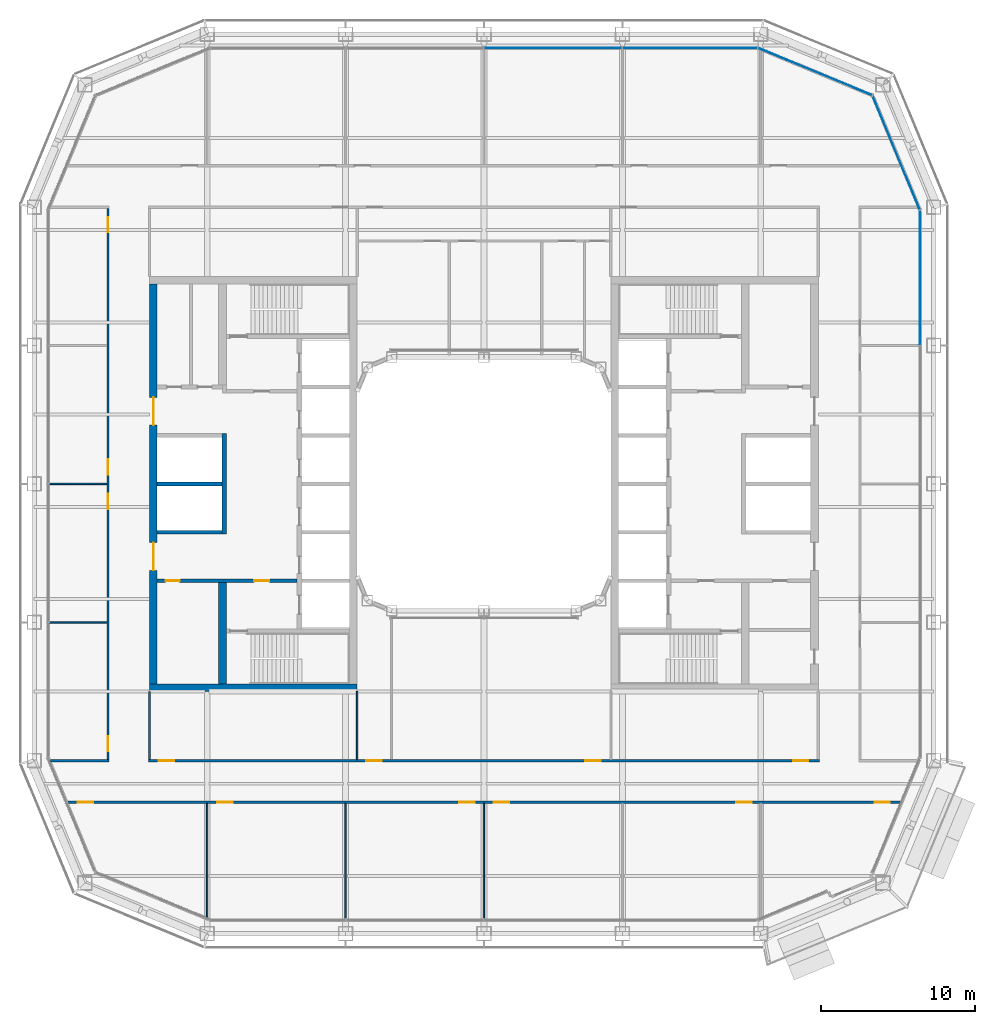
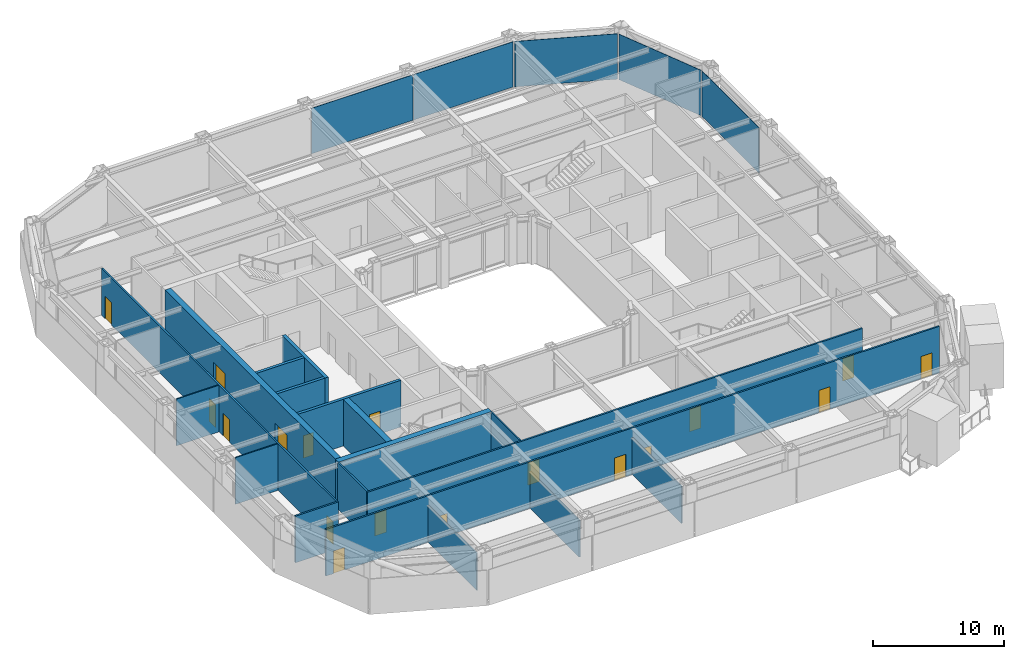
# One storey, part 11 of 23: 18 doors, 18 walls, 5 plates, 18 openings, 4 elements without a shape of their own.
"""IFC4 building model written with IfcOpenShell, lengths in metres."""

import ifcopenshell
import ifcopenshell.guid

model = None  # the IFC model being written
_history = None  # IfcOwnerHistory: only IFC2X3 demands one
_inside = {}  # id of a spatial element -> (the spatial element, [elements in it])
_under = {}  # id of a project, library or spatial element -> (it, [spatial elements below it])
_declared = {}  # id of a project -> (the project, [libraries it declares])
_typed = {}  # id of a type object -> (the type object, [elements of that type])
_made_of = {}  # id of a material, layer set ... -> (it, [elements and type objects made of it])


def new_model(schema):
    """Start an empty IFC model of exactly this schema.

    Asked for "IFC4X3", IfcOpenShell would pick the latest addendum, in which some entities
    have other attributes; the version numbers below select the first issue.
    IFC2X3 requires an IfcOwnerHistory on every rooted entity: one is made here for all.
    """
    global model, _history
    if schema == "IFC4X3":
        model = ifcopenshell.file(schema_version=(4, 3, 0, 0))
    else:
        model = ifcopenshell.file(schema=schema)
    _inside.clear()
    _under.clear()
    _declared.clear()
    _typed.clear()
    _made_of.clear()
    _history = None
    if model.schema == "IFC2X3":
        org = make("IfcOrganization", Name="unknown")
        user = make(
            "IfcPersonAndOrganization",
            ThePerson=make("IfcPerson", FamilyName="unknown"),
            TheOrganization=org,
        )
        app = make(
            "IfcApplication",
            ApplicationDeveloper=org,
            Version="unknown",
            ApplicationFullName="unknown",
            ApplicationIdentifier="unknown",
        )
        _history = make(
            "IfcOwnerHistory",
            OwningUser=user,
            OwningApplication=app,
            ChangeAction="ADDED",
            CreationDate=0,
        )
    return model


def make(cls, **values):
    """One entity of the class cls with the attributes given. An attribute that is None is left unset."""
    return model.create_entity(
        cls, **{name: value for name, value in values.items() if value is not None}
    )


def rooted(cls, **values):
    """An entity with a GlobalId (a new one), such as an element, a storey or a relation."""
    return make(cls, GlobalId=ifcopenshell.guid.new(), OwnerHistory=_history, **values)


def si_unit(unit_type, name, prefix=None):
    """IfcSIUnit, for example si_unit("LENGTHUNIT", "METRE", prefix="MILLI")."""
    return make("IfcSIUnit", UnitType=unit_type, Prefix=prefix, Name=name)


def assignment(units):
    """IfcUnitAssignment: the units of a project."""
    return None if units is None else make("IfcUnitAssignment", Units=units)


def point(xyz):
    """IfcCartesianPoint."""
    return None if xyz is None else make("IfcCartesianPoint", Coordinates=xyz)


def direction(xyz):
    """IfcDirection."""
    return None if xyz is None else make("IfcDirection", DirectionRatios=xyz)


def frame(location, z_axis=None, x_axis=None):
    """IfcAxis2Placement3D, a coordinate frame: its origin and axes. An axis left out is left unset."""
    return make(
        "IfcAxis2Placement3D",
        Location=point(location),
        Axis=direction(z_axis),
        RefDirection=direction(x_axis),
    )


def frame_2d(location, x_axis=None):
    """IfcAxis2Placement2D, a coordinate frame in the plane: its origin and x axis."""
    return make(
        "IfcAxis2Placement2D", Location=point(location), RefDirection=direction(x_axis)
    )


def origin():
    """The frame at (0, 0, 0) with its axes left unset."""
    return frame((0.0, 0.0, 0.0))


def origin_2d():
    """The frame at (0, 0) in the plane with its x axis left unset."""
    return frame_2d((0.0, 0.0))


def place(relative_to, where):
    """IfcLocalPlacement: puts the frame where relative to a parent placement (None: the world)."""
    return make(
        "IfcLocalPlacement", PlacementRelTo=relative_to, RelativePlacement=where
    )


def context(
    kind, dimensions, precision=None, world=None, true_north=None, identifier=None
):
    """IfcGeometricRepresentationContext, for example the 3D "Model" context."""
    return make(
        "IfcGeometricRepresentationContext",
        ContextIdentifier=identifier,
        ContextType=kind,
        CoordinateSpaceDimension=dimensions,
        Precision=precision,
        WorldCoordinateSystem=world,
        TrueNorth=true_north,
    )


def subcontext(parent, identifier, kind, view, scale=None):
    """IfcGeometricRepresentationSubContext, for example "Body" below "Model"."""
    return make(
        "IfcGeometricRepresentationSubContext",
        ContextIdentifier=identifier,
        ContextType=kind,
        ParentContext=parent,
        TargetScale=scale,
        TargetView=view,
    )


def project(units=None, contexts=None):
    """IfcProject with its units and contexts."""
    return rooted(
        "IfcProject",
        Name="project",
        RepresentationContexts=contexts,
        UnitsInContext=assignment(units),
    )


def spatial(cls, under=None, at=None, **own):
    """A site, building, storey or space (cls), placed at a placement, below another one or the project."""
    s = rooted(cls, ObjectPlacement=at, **own)
    if under is not None:
        _under.setdefault(under.id(), (under, []))[1].append(s)
    return s


def profile(cls, at=None, kind="AREA", **sizes):
    """A parametric profile (cls). Its sizes go by their IFC names, for example OverallWidth=200.0."""
    return make(cls, ProfileType=kind, Position=at, **sizes)


def rectangle(**sizes):
    """IfcRectangleProfileDef."""
    return profile("IfcRectangleProfileDef", **sizes)


def extrude(swept, where, along, depth):
    """IfcExtrudedAreaSolid: the profile swept, set in the frame where, extruded along a direction by depth."""
    return make(
        "IfcExtrudedAreaSolid",
        SweptArea=swept,
        Position=where,
        ExtrudedDirection=direction(along),
        Depth=depth,
    )


def shape(context_of_items, identifier, shape_type, items):
    """IfcShapeRepresentation: the items that make up one representation, for example the "Body"."""
    return make(
        "IfcShapeRepresentation",
        ContextOfItems=context_of_items,
        RepresentationIdentifier=identifier,
        RepresentationType=shape_type,
        Items=items,
    )


def material(Name=None, Category=None):
    """IfcMaterial."""
    return make("IfcMaterial", Name=Name, Category=Category)


def layer(
    of_material, thickness, ventilated=None, Name=None, Category=None, Priority=None
):
    """IfcMaterialLayer: one layer of a wall or slab, of a material (None: an air gap)."""
    return make(
        "IfcMaterialLayer",
        Material=of_material,
        LayerThickness=thickness,
        IsVentilated=ventilated,
        Name=Name,
        Category=Category,
        Priority=Priority,
    )


def layer_set(layers, Name=None):
    """IfcMaterialLayerSet."""
    return make("IfcMaterialLayerSet", MaterialLayers=layers, LayerSetName=Name)


def made_of(thing, what):
    """Note that an element or type object is made of a material, layer set ...; save() writes the relation."""
    if what is not None:
        _made_of.setdefault(what.id(), (what, []))[1].append(thing)
    return thing


def type_object(cls, material=None, **own):
    """A type object (cls), such as IfcWallType, which elements share."""
    return made_of(rooted(cls, **own), material)


def element(
    cls,
    number,
    at=None,
    inside=None,
    cuts=None,
    type_object=None,
    material=None,
    context=None,
    identifier="Body",
    shape_type=None,
    held_by="IfcProductDefinitionShape",
    body=None,
    shapes=None,
    **own,
):
    """One element of the class cls, such as IfcWall. Its Tag is "e" and its number.

    at: its placement. inside: the storey or other place that contains it. cuts: it is an
    opening in that element (IfcRelVoidsElement). A single representation is given by context,
    identifier, shape_type and body (its items); several are given by shapes. held_by: the class
    of the entity that holds the representations. save() writes the other relations.
    """
    e = rooted(cls, Tag="e%d" % number, ObjectPlacement=at, **own)
    if body is not None:
        shapes = [shape(context, identifier, shape_type, body)]
    if shapes is not None:
        e.Representation = make(held_by, Representations=shapes)
    if inside is not None:
        _inside.setdefault(inside.id(), (inside, []))[1].append(e)
    if cuts is not None:
        rooted(
            "IfcRelVoidsElement", RelatingBuildingElement=cuts, RelatedOpeningElement=e
        )
    if type_object is not None:
        _typed.setdefault(type_object.id(), (type_object, []))[1].append(e)
    return made_of(e, material)


def fill(opening, filler):
    """IfcRelFillsElement: the door or window that sits in an opening."""
    return rooted(
        "IfcRelFillsElement",
        RelatingOpeningElement=opening,
        RelatedBuildingElement=filler,
    )


def aggregate(whole, parts):
    """IfcRelAggregates: a whole, such as a stair, and the parts it consists of."""
    return rooted("IfcRelAggregates", RelatingObject=whole, RelatedObjects=parts)


def save(model, path):
    """Write the relations noted so far, then the file.

    IfcRelAggregates (storeys below a building ...), IfcRelContainedInSpatialStructure (elements
    in a storey), IfcRelDefinesByType, IfcRelAssociatesMaterial and IfcRelDeclares: one each for
    every whole, place, type object, material and project.
    """
    for whole, parts in _under.values():
        aggregate(whole, parts)
    for where, things in _inside.values():
        rooted(
            "IfcRelContainedInSpatialStructure",
            RelatedElements=things,
            RelatingStructure=where,
        )
    for kind, things in _typed.values():
        rooted("IfcRelDefinesByType", RelatedObjects=things, RelatingType=kind)
    for what, things in _made_of.values():
        rooted("IfcRelAssociatesMaterial", RelatedObjects=things, RelatingMaterial=what)
    for by, libraries in _declared.values():
        rooted("IfcRelDeclares", RelatingContext=by, RelatedDefinitions=libraries)
    model.write(path)


model = new_model("IFC4")

# Units and contexts
model_context = context("Model", 3, precision=1e-05, world=origin(), true_north=direction((0.0, 1.0)))
body_context = subcontext(model_context, "Body", "Model", "MODEL_VIEW")
ifc_project = project(units=[si_unit("LENGTHUNIT", "METRE"), si_unit("AREAUNIT", "SQUARE_METRE"), si_unit("VOLUMEUNIT", "CUBIC_METRE"), si_unit("PLANEANGLEUNIT", "RADIAN"), si_unit("MASSUNIT", "GRAM", prefix="KILO")], contexts=[model_context])

# Site, building, storey
site_placement = place(None, origin())
site = spatial("IfcSite", under=ifc_project, at=site_placement, CompositionType="ELEMENT")
building_placement = place(site_placement, origin())
building = spatial("IfcBuilding", under=site, at=building_placement, Name="Siwar Civic Tower", CompositionType="ELEMENT")
storey_placement = place(building_placement, frame((0.0, 0.0, 127.199951171875)))
storey = spatial("IfcBuildingStorey", under=building, at=storey_placement, Name="L27", CompositionType="ELEMENT", Elevation=127.199951171875)

# Curtain wall, plate
ifc_material_1 = material(Name="Aluminium and glass", Category="aluminium")
ifc_layer_1 = layer(ifc_material_1, 0.199951171875)
ifc_layer_set_1 = layer_set([ifc_layer_1], Name="Aluminium and glass")
curtain_wall_type_1 = type_object("IfcCurtainWallType", Name="ENV-CW-B", PredefinedType="NOTDEFINED", material=ifc_layer_set_1)
curtain_wall_1_placement = place(storey_placement, origin())
curtain_wall_1 = element("IfcCurtainWall", 1, at=curtain_wall_1_placement, inside=storey, type_object=curtain_wall_type_1, Name="Curtain wall B E", PredefinedType="NOTDEFINED")
ifc_material_2 = material(Name="Glass clear laminated", Category="glass")
ifc_layer_2 = layer(ifc_material_2, 0.033935546875)
ifc_layer_set_2 = layer_set([ifc_layer_2], Name="Glass clear laminated")
plate_type_1 = type_object("IfcPlateType", Name="ENV-PANEL-B", PredefinedType="CURTAIN_PANEL", material=ifc_layer_set_2)
plate_1_placement = place(storey_placement, frame((28.35009765625, 13.369873046875, 0.10986328125), z_axis=(0.0, 0.0, 1.0), x_axis=(0.0, 1.0, 0.0)))
plate_1 = element("IfcPlate", 2, at=plate_1_placement, type_object=plate_type_1, Name="Curtain panel B E 4", PredefinedType="CURTAIN_PANEL", context=body_context, shape_type="SweptSolid", body=[
    extrude(rectangle(XDim=8.6748046875, YDim=0.033935546875, at=origin_2d()), origin(), (0.0, 0.0, 1.0), 4.239990234375),
])
aggregate(curtain_wall_1, [plate_1])

# Curtain wall, plates
curtain_wall_2_placement = place(storey_placement, origin())
curtain_wall_2 = element("IfcCurtainWall", 3, at=curtain_wall_2_placement, inside=storey, type_object=curtain_wall_type_1, Name="Curtain wall B N", PredefinedType="NOTDEFINED")
plate_2_placement = place(storey_placement, frame((13.410400390625, 28.35009765625, 0.10986328125), z_axis=(0.0, 0.0, 1.0), x_axis=(-1.0, 0.0, 0.0)))
plate_2 = element("IfcPlate", 4, at=plate_2_placement, type_object=plate_type_1, Name="Curtain panel B N 1", PredefinedType="CURTAIN_PANEL", context=body_context, shape_type="SweptSolid", body=[
    extrude(rectangle(XDim=8.755859375, YDim=0.033935546875, at=origin_2d()), origin(), (0.0, 0.0, 1.0), 4.239990234375),
])
plate_3_placement = place(storey_placement, frame((4.5, 28.35009765625, 0.10986328125), z_axis=(0.0, 0.0, 1.0), x_axis=(-1.0, 0.0, 0.0)))
plate_3 = element("IfcPlate", 5, at=plate_3_placement, type_object=plate_type_1, Name="Curtain panel B N 2", PredefinedType="CURTAIN_PANEL", context=body_context, shape_type="SweptSolid", body=[
    extrude(rectangle(XDim=8.93505859375, YDim=0.033935546875, at=origin_2d()), origin(), (0.0, 0.0, 1.0), 4.239990234375),
])
aggregate(curtain_wall_2, [plate_2, plate_3])

# Curtain wall, plate
ifc_material_3 = material(Name="Aluminium clad insulated panel", Category="aluminium")
ifc_layer_3 = layer(ifc_material_3, 0.199951171875)
ifc_layer_set_3 = layer_set([ifc_layer_3], Name="Aluminium clad insulated panel")
curtain_wall_type_2 = type_object("IfcCurtainWallType", Name="ENV-CW-BX", PredefinedType="NOTDEFINED", material=ifc_layer_set_3)
curtain_wall_3_placement = place(storey_placement, origin())
curtain_wall_3 = element("IfcCurtainWall", 6, at=curtain_wall_3_placement, inside=storey, type_object=curtain_wall_type_2, Name="Curtain wall B NE1", PredefinedType="NOTDEFINED")
ifc_material_4 = material(Name="Aluminium clad insulated panel", Category="aluminium")
ifc_layer_4 = layer(ifc_material_4, 0.033935546875)
ifc_layer_set_4 = layer_set([ifc_layer_4], Name="Aluminium clad insulated panel")
plate_type_2 = type_object("IfcPlateType", Name="ENV-PANEL-BX", PredefinedType="CURTAIN_PANEL", material=ifc_layer_set_4)
plate_4_placement = place(storey_placement, frame((26.823486328125, 21.506103515625, 0.10986328125), z_axis=(0.0, 0.0, 1.0), x_axis=(-0.382683432365, 0.923879532511, 0.0)))
plate_4 = element("IfcPlate", 7, at=plate_4_placement, type_object=plate_type_2, Name="Curtain panel B NE1 1", PredefinedType="CURTAIN_PANEL", context=body_context, shape_type="SweptSolid", body=[
    extrude(rectangle(XDim=7.912353515625, YDim=0.033935546875, at=origin_2d()), origin(), (0.0, 0.0, 1.0), 4.239990234375),
])
aggregate(curtain_wall_3, [plate_4])

curtain_wall_4_placement = place(storey_placement, origin())
curtain_wall_4 = element("IfcCurtainWall", 8, at=curtain_wall_4_placement, inside=storey, type_object=curtain_wall_type_2, Name="Curtain wall B NE2", PredefinedType="NOTDEFINED")
plate_5_placement = place(storey_placement, frame((21.5810546875, 26.79248046875, 0.10986328125), z_axis=(0.0, 0.0, 1.0), x_axis=(-0.923879532511, 0.382683432365, 0.0)))
plate_5 = element("IfcPlate", 9, at=plate_5_placement, type_object=plate_type_2, Name="Curtain panel B NE2 1", PredefinedType="CURTAIN_PANEL", context=body_context, shape_type="SweptSolid", body=[
    extrude(rectangle(XDim=7.912353515625, YDim=0.033935546875, at=origin_2d()), origin(), (0.0, 0.0, 1.0), 4.239990234375),
])
aggregate(curtain_wall_4, [plate_5])

# Wall, openings, doors
ifc_material_5 = material(Name="Concrete C60/75", Category="concrete")
ifc_layer_5 = layer(ifc_material_5, 0.25)
ifc_layer_set_5 = layer_set([ifc_layer_5], Name="Concrete C60/75")
wall_type_1 = type_object("IfcWallType", Name="CORE-WALL-RC250", PredefinedType="SHEAR", material=ifc_layer_set_5)
wall_1_placement = place(storey_placement, frame((-12.14990234375, -6.300048828125, 0.0), z_axis=(0.0, 0.0, 1.0), x_axis=(-1.0, 0.0, 0.0)))
wall_1 = element("IfcWall", 10, at=wall_1_placement, inside=storey, type_object=wall_type_1, Name="Core wall W", PredefinedType="SHEAR", context=body_context, shape_type="SweptSolid", body=[
    extrude(rectangle(XDim=9.10009765625, YDim=0.25, at=frame_2d((4.550048828125, 0.0))), origin(), (0.0, 0.0, 1.0), 4.35009765625),
])
opening_1_placement = place(wall_1_placement, frame((1.800048828125, 0.0, 0.0)))
opening_1 = element("IfcOpeningElement", 11, at=opening_1_placement, cuts=wall_1, Name="Opening L27-CW02", PredefinedType="OPENING", context=body_context, shape_type="SweptSolid", body=[
    extrude(rectangle(XDim=1.0, YDim=2.10009765625, at=frame_2d((0.5, 1.050048828125))), frame((0.0, 0.135009765625, 0.0), z_axis=(0.0, -1.0, 0.0), x_axis=(1.0, 0.0, 0.0)), (0.0, 0.0, 1.0), 0.27001953125),
])
opening_2_placement = place(wall_1_placement, frame((7.64990234375, 0.0, 0.0)))
opening_2 = element("IfcOpeningElement", 12, at=opening_2_placement, cuts=wall_1, Name="Opening L27-CW15", PredefinedType="OPENING", context=body_context, shape_type="SweptSolid", body=[
    extrude(rectangle(XDim=0.89990234375, YDim=2.10009765625, at=frame_2d((0.449951171875, 1.050048828125))), frame((0.0, 0.135009765625, 0.0), z_axis=(0.0, -1.0, 0.0), x_axis=(1.0, 0.0, 0.0)), (0.0, 0.0, 1.0), 0.27001953125),
])
ifc_material_6 = material(Name="Steel door leaf", Category="steel")
door_type_1 = type_object("IfcDoorType", Name="CORE-DOOR-FD30S", OperationType="SINGLE_SWING_LEFT", PredefinedType="DOOR", material=ifc_material_6)
door_1_placement = place(opening_1_placement, origin())
door_1 = element("IfcDoor", 13, at=door_1_placement, inside=storey, type_object=door_type_1, Name="Service lobby door L27-CW02", OperationType="SINGLE_SWING_RIGHT", OverallHeight=2.10009765625, OverallWidth=1.0, PredefinedType="DOOR", context=body_context, shape_type="SweptSolid", body=[
    extrude(rectangle(XDim=1.0, YDim=2.10009765625, at=frame_2d((0.5, 1.050048828125))), frame((0.0, 0.02490234375, 0.0), z_axis=(0.0, -1.0, 0.0), x_axis=(1.0, 0.0, 0.0)), (0.0, 0.0, 1.0), 0.050048828125),
])
fill(opening_1, door_1)
ifc_material_7 = material(Name="Steel door leaf", Category="steel")
door_type_2 = type_object("IfcDoorType", Name="CORE-DOOR-ROOM", OperationType="SINGLE_SWING_LEFT", PredefinedType="DOOR", material=ifc_material_7)
door_2_placement = place(opening_2_placement, origin())
door_2 = element("IfcDoor", 14, at=door_2_placement, inside=storey, type_object=door_type_2, Name="Core room door L27-CW15", OperationType="SINGLE_SWING_LEFT", OverallHeight=2.10009765625, OverallWidth=0.89990234375, PredefinedType="DOOR", context=body_context, shape_type="SweptSolid", body=[
    extrude(rectangle(XDim=0.89990234375, YDim=2.10009765625, at=frame_2d((0.449951171875, 1.050048828125))), frame((0.0, 0.02490234375, 0.0), z_axis=(0.0, -1.0, 0.0), x_axis=(1.0, 0.0, 0.0)), (0.0, 0.0, 1.0), 0.050048828125),
])
fill(opening_2, door_2)

# Walls
for number, where, z_axis, x_axis, name in (
    (15, (-17.050048828125, 0.0, 0.0), (0.0, 0.0, 1.0), (-1.0, 0.0, 0.0), "Core wall W"),
    (16, (-17.050048828125, -3.14990234375, 0.0), (0.0, 0.0, 1.0), (-1.0, 0.0, 0.0), "Core wall W"),
):
    element("IfcWall", number, at=place(storey_placement, frame(where, z_axis=z_axis, x_axis=x_axis)), inside=storey, type_object=wall_type_1, Name=name, PredefinedType="SHEAR", context=body_context, shape_type="SweptSolid", body=[
        extrude(rectangle(XDim=4.199951171875, YDim=0.25, at=frame_2d((2.10009765625, 0.0))), origin(), (0.0, 0.0, 1.0), 4.35009765625),
    ])
ifc_material_8 = material(Name="Concrete C60/75", Category="concrete")
ifc_layer_6 = layer(ifc_material_8, 0.300048828125)
ifc_layer_set_6 = layer_set([ifc_layer_6], Name="Concrete C60/75")
wall_type_2 = type_object("IfcWallType", Name="CORE-WALL-RC300", PredefinedType="SHEAR", material=ifc_layer_set_6)
wall_2_placement = place(storey_placement, frame((-16.89990234375, -3.27490234375, 0.0), z_axis=(0.0, 0.0, 1.0), x_axis=(0.0, 1.0, 0.0)))
element("IfcWall", 17, at=wall_2_placement, inside=storey, type_object=wall_type_2, Name="Core wall W", PredefinedType="SHEAR", context=body_context, shape_type="SweptSolid", body=[
    extrude(rectangle(XDim=6.5498046875, YDim=0.300048828125, at=frame_2d((3.27490234375, 0.0))), origin(), (0.0, 0.0, 1.0), 4.35009765625),
])

# Wall, openings, doors
ifc_material_9 = material(Name="Concrete C60/75", Category="concrete")
ifc_layer_7 = layer(ifc_material_9, 0.5)
ifc_layer_set_7 = layer_set([ifc_layer_7], Name="Concrete C60/75")
wall_type_3 = type_object("IfcWallType", Name="CORE-WALL-RC500", PredefinedType="SHEAR", material=ifc_layer_set_7)
wall_3_placement = place(storey_placement, frame((-21.5, -13.0, 0.0), z_axis=(0.0, 0.0, 1.0), x_axis=(0.0, 1.0, 0.0)))
wall_3 = element("IfcWall", 18, at=wall_3_placement, inside=storey, type_object=wall_type_3, Name="Core wall W", PredefinedType="SHEAR", context=body_context, shape_type="SweptSolid", body=[
    extrude(rectangle(XDim=26.0, YDim=0.5, at=frame_2d((13.0, 0.0))), origin(), (0.0, 0.0, 1.0), 4.35009765625),
])
opening_3_placement = place(wall_3_placement, frame((16.824951171875, 0.0, 0.0)))
opening_3 = element("IfcOpeningElement", 19, at=opening_3_placement, cuts=wall_3, Name="Opening L27-CW05", PredefinedType="OPENING", context=body_context, shape_type="SweptSolid", body=[
    extrude(rectangle(XDim=1.800048828125, YDim=2.10009765625, at=frame_2d((0.89990234375, 1.050048828125))), frame((0.0, 0.260009765625, 0.0), z_axis=(0.0, -1.0, 0.0), x_axis=(1.0, 0.0, 0.0)), (0.0, 0.0, 1.0), 0.52001953125),
])
opening_4_placement = place(wall_3_placement, frame((7.375, 0.0, 0.0)))
opening_4 = element("IfcOpeningElement", 20, at=opening_4_placement, cuts=wall_3, Name="Opening L27-CW06", PredefinedType="OPENING", context=body_context, shape_type="SweptSolid", body=[
    extrude(rectangle(XDim=1.800048828125, YDim=2.10009765625, at=frame_2d((0.89990234375, 1.050048828125))), frame((0.0, 0.260009765625, 0.0), z_axis=(0.0, -1.0, 0.0), x_axis=(1.0, 0.0, 0.0)), (0.0, 0.0, 1.0), 0.52001953125),
])
ifc_material_10 = material(Name="Steel door leaf", Category="steel")
door_type_3 = type_object("IfcDoorType", Name="CORE-DOOR-PORT", OperationType="DOUBLE_DOOR_DOUBLE_SWING", PredefinedType="DOOR", material=ifc_material_10)
door_3_placement = place(opening_3_placement, origin())
door_3 = element("IfcDoor", 21, at=door_3_placement, inside=storey, type_object=door_type_3, Name="Core entrance door L27-CW05", OperationType="DOUBLE_DOOR_DOUBLE_SWING", OverallHeight=2.10009765625, OverallWidth=1.800048828125, PredefinedType="DOOR", context=body_context, shape_type="SweptSolid", body=[
    extrude(rectangle(XDim=1.800048828125, YDim=2.10009765625, at=frame_2d((0.89990234375, 1.050048828125))), frame((0.0, 0.02490234375, 0.0), z_axis=(0.0, -1.0, 0.0), x_axis=(1.0, 0.0, 0.0)), (0.0, 0.0, 1.0), 0.050048828125),
])
fill(opening_3, door_3)
door_4_placement = place(opening_4_placement, origin())
door_4 = element("IfcDoor", 22, at=door_4_placement, inside=storey, type_object=door_type_3, Name="Core entrance door L27-CW06", OperationType="DOUBLE_DOOR_DOUBLE_SWING", OverallHeight=2.10009765625, OverallWidth=1.800048828125, PredefinedType="DOOR", context=body_context, shape_type="SweptSolid", body=[
    extrude(rectangle(XDim=1.800048828125, YDim=2.10009765625, at=frame_2d((0.89990234375, 1.050048828125))), frame((0.0, 0.02490234375, 0.0), z_axis=(0.0, -1.0, 0.0), x_axis=(1.0, 0.0, 0.0)), (0.0, 0.0, 1.0), 0.050048828125),
])
fill(opening_4, door_4)

# Walls
wall_4_placement = place(storey_placement, frame((-17.0, -13.0, 0.0), z_axis=(0.0, 0.0, 1.0), x_axis=(0.0, 1.0, 0.0)))
element("IfcWall", 23, at=wall_4_placement, inside=storey, type_object=wall_type_3, Name="Core wall W", PredefinedType="SHEAR", context=body_context, shape_type="SweptSolid", body=[
    extrude(rectangle(XDim=6.574951171875, YDim=0.5, at=frame_2d((3.28759765625, 0.0))), origin(), (0.0, 0.0, 1.0), 4.35009765625),
])
wall_5_placement = place(storey_placement, frame((-8.25, -13.25, 0.0), z_axis=(0.0, 0.0, 1.0), x_axis=(-1.0, 0.0, 0.0)))
element("IfcWall", 24, at=wall_5_placement, inside=storey, type_object=wall_type_3, Name="Core wall W", PredefinedType="SHEAR", context=body_context, shape_type="SweptSolid", body=[
    extrude(rectangle(XDim=13.5, YDim=0.5, at=frame_2d((6.75, 0.0))), origin(), (0.0, 0.0, 1.0), 4.35009765625),
])

# Wall, openings, doors
ifc_material_11 = material(Name="Gypsum board on steel studs", Category="steel")
ifc_layer_8 = layer(ifc_material_11, 0.14990234375)
ifc_layer_set_8 = layer_set([ifc_layer_8], Name="Gypsum board on steel studs")
wall_type_4 = type_object("IfcWallType", Name="CORRIDOR PARTITION 150 EI 30", PredefinedType="PARTITIONING", material=ifc_layer_set_8)
wall_6_placement = place(storey_placement, frame((-27.06005859375, -20.699951171875, 0.0), z_axis=(0.0, 0.0, 1.0), x_axis=(1.0, 0.0, 0.0)))
wall_6 = element("IfcWall", 25, at=wall_6_placement, inside=storey, type_object=wall_type_4, Name="L27/wall/P01", PredefinedType="PARTITIONING", context=body_context, shape_type="SweptSolid", body=[
    extrude(rectangle(XDim=54.1201171875, YDim=0.14990234375, at=frame_2d((27.06005859375, 0.0))), origin(), (0.0, 0.0, 1.0), 4.35009765625),
])
opening_5_placement = place(wall_6_placement, frame((9.7099609375, 0.0, 0.0)))
opening_5 = element("IfcOpeningElement", 26, at=opening_5_placement, cuts=wall_6, Name="Opening D1", PredefinedType="OPENING", context=body_context, shape_type="SweptSolid", body=[
    extrude(rectangle(XDim=1.0, YDim=2.10009765625, at=frame_2d((0.5, 1.050048828125))), frame((0.0, 0.0849609375, 0.0), z_axis=(0.0, -1.0, 0.0), x_axis=(1.0, 0.0, 0.0)), (0.0, 0.0, 1.0), 0.169921875),
])
opening_6_placement = place(wall_6_placement, frame((25.4599609375, 0.0, 0.0)))
opening_6 = element("IfcOpeningElement", 27, at=opening_6_placement, cuts=wall_6, Name="Opening D1", PredefinedType="OPENING", context=body_context, shape_type="SweptSolid", body=[
    extrude(rectangle(XDim=1.0, YDim=2.10009765625, at=frame_2d((0.5, 1.050048828125))), frame((0.0, 0.0849609375, 0.0), z_axis=(0.0, -1.0, 0.0), x_axis=(1.0, 0.0, 0.0)), (0.0, 0.0, 1.0), 0.169921875),
])
opening_7_placement = place(wall_6_placement, frame((27.7099609375, 0.0, 0.0)))
opening_7 = element("IfcOpeningElement", 28, at=opening_7_placement, cuts=wall_6, Name="Opening D1", PredefinedType="OPENING", context=body_context, shape_type="SweptSolid", body=[
    extrude(rectangle(XDim=1.0, YDim=2.10009765625, at=frame_2d((0.5, 1.050048828125))), frame((0.0, 0.0849609375, 0.0), z_axis=(0.0, -1.0, 0.0), x_axis=(1.0, 0.0, 0.0)), (0.0, 0.0, 1.0), 0.169921875),
])
opening_8_placement = place(wall_6_placement, frame((43.4599609375, 0.0, 0.0)))
opening_8 = element("IfcOpeningElement", 29, at=opening_8_placement, cuts=wall_6, Name="Opening D1", PredefinedType="OPENING", context=body_context, shape_type="SweptSolid", body=[
    extrude(rectangle(XDim=1.0, YDim=2.10009765625, at=frame_2d((0.5, 1.050048828125))), frame((0.0, 0.0849609375, 0.0), z_axis=(0.0, -1.0, 0.0), x_axis=(1.0, 0.0, 0.0)), (0.0, 0.0, 1.0), 0.169921875),
])
opening_9_placement = place(wall_6_placement, frame((0.64990234375, 0.0, 0.0)))
opening_9 = element("IfcOpeningElement", 30, at=opening_9_placement, cuts=wall_6, Name="Opening D1", PredefinedType="OPENING", context=body_context, shape_type="SweptSolid", body=[
    extrude(rectangle(XDim=1.0, YDim=2.10009765625, at=frame_2d((0.5, 1.050048828125))), frame((0.0, 0.0849609375, 0.0), z_axis=(0.0, -1.0, 0.0), x_axis=(1.0, 0.0, 0.0)), (0.0, 0.0, 1.0), 0.169921875),
])
opening_10_placement = place(wall_6_placement, frame((52.4599609375, 0.0, 0.0)))
opening_10 = element("IfcOpeningElement", 31, at=opening_10_placement, cuts=wall_6, Name="Opening D1", PredefinedType="OPENING", context=body_context, shape_type="SweptSolid", body=[
    extrude(rectangle(XDim=1.0, YDim=2.10009765625, at=frame_2d((0.5, 1.050048828125))), frame((0.0, 0.0849609375, 0.0), z_axis=(0.0, -1.0, 0.0), x_axis=(1.0, 0.0, 0.0)), (0.0, 0.0, 1.0), 0.169921875),
])
ifc_material_12 = material(Name="Timber, painted", Category="wood")
door_type_4 = type_object("IfcDoorType", Name="DOOR 1000 X 2100 FD30", OperationType="SINGLE_SWING_LEFT", PredefinedType="DOOR", material=ifc_material_12)
door_5_placement = place(opening_5_placement, origin())
door_5 = element("IfcDoor", 32, at=door_5_placement, inside=storey, type_object=door_type_4, Name="L27-D05", OperationType="SINGLE_SWING_LEFT", OverallHeight=2.10009765625, OverallWidth=1.0, PredefinedType="DOOR", context=body_context, shape_type="SweptSolid", body=[
    extrude(rectangle(XDim=1.0, YDim=2.10009765625, at=frame_2d((0.5, 1.050048828125))), frame((0.0, 0.02490234375, 0.0), z_axis=(0.0, -1.0, 0.0), x_axis=(1.0, 0.0, 0.0)), (0.0, 0.0, 1.0), 0.050048828125),
])
fill(opening_5, door_5)
door_6_placement = place(opening_6_placement, origin())
door_6 = element("IfcDoor", 33, at=door_6_placement, inside=storey, type_object=door_type_4, Name="L27-D06", OperationType="SINGLE_SWING_RIGHT", OverallHeight=2.10009765625, OverallWidth=1.0, PredefinedType="DOOR", context=body_context, shape_type="SweptSolid", body=[
    extrude(rectangle(XDim=1.0, YDim=2.10009765625, at=frame_2d((0.5, 1.050048828125))), frame((0.0, 0.02490234375, 0.0), z_axis=(0.0, -1.0, 0.0), x_axis=(1.0, 0.0, 0.0)), (0.0, 0.0, 1.0), 0.050048828125),
])
fill(opening_6, door_6)
door_7_placement = place(opening_7_placement, origin())
door_7 = element("IfcDoor", 34, at=door_7_placement, inside=storey, type_object=door_type_4, Name="L27-D07", OperationType="SINGLE_SWING_LEFT", OverallHeight=2.10009765625, OverallWidth=1.0, PredefinedType="DOOR", context=body_context, shape_type="SweptSolid", body=[
    extrude(rectangle(XDim=1.0, YDim=2.10009765625, at=frame_2d((0.5, 1.050048828125))), frame((0.0, 0.02490234375, 0.0), z_axis=(0.0, -1.0, 0.0), x_axis=(1.0, 0.0, 0.0)), (0.0, 0.0, 1.0), 0.050048828125),
])
fill(opening_7, door_7)
door_8_placement = place(opening_8_placement, origin())
door_8 = element("IfcDoor", 35, at=door_8_placement, inside=storey, type_object=door_type_4, Name="L27-D08", OperationType="SINGLE_SWING_RIGHT", OverallHeight=2.10009765625, OverallWidth=1.0, PredefinedType="DOOR", context=body_context, shape_type="SweptSolid", body=[
    extrude(rectangle(XDim=1.0, YDim=2.10009765625, at=frame_2d((0.5, 1.050048828125))), frame((0.0, 0.02490234375, 0.0), z_axis=(0.0, -1.0, 0.0), x_axis=(1.0, 0.0, 0.0)), (0.0, 0.0, 1.0), 0.050048828125),
])
fill(opening_8, door_8)
door_9_placement = place(opening_9_placement, origin())
door_9 = element("IfcDoor", 36, at=door_9_placement, inside=storey, type_object=door_type_4, Name="L27-D11", OperationType="SINGLE_SWING_LEFT", OverallHeight=2.10009765625, OverallWidth=1.0, PredefinedType="DOOR", context=body_context, shape_type="SweptSolid", body=[
    extrude(rectangle(XDim=1.0, YDim=2.10009765625, at=frame_2d((0.5, 1.050048828125))), frame((0.0, 0.02490234375, 0.0), z_axis=(0.0, -1.0, 0.0), x_axis=(1.0, 0.0, 0.0)), (0.0, 0.0, 1.0), 0.050048828125),
])
fill(opening_9, door_9)
door_10_placement = place(opening_10_placement, origin())
door_10 = element("IfcDoor", 37, at=door_10_placement, inside=storey, type_object=door_type_4, Name="L27-D12", OperationType="SINGLE_SWING_RIGHT", OverallHeight=2.10009765625, OverallWidth=1.0, PredefinedType="DOOR", context=body_context, shape_type="SweptSolid", body=[
    extrude(rectangle(XDim=1.0, YDim=2.10009765625, at=frame_2d((0.5, 1.050048828125))), frame((0.0, 0.02490234375, 0.0), z_axis=(0.0, -1.0, 0.0), x_axis=(1.0, 0.0, 0.0)), (0.0, 0.0, 1.0), 0.050048828125),
])
fill(opening_10, door_10)

# Wall
wall_7_placement = place(storey_placement, frame((-28.177978515625, -18.0, 0.0), z_axis=(0.0, 0.0, 1.0), x_axis=(1.0, 0.0, 0.0)))
element("IfcWall", 38, at=wall_7_placement, inside=storey, type_object=wall_type_4, Name="L27/wall/P02", PredefinedType="PARTITIONING", context=body_context, shape_type="SweptSolid", body=[
    extrude(rectangle(XDim=3.802978515625, YDim=0.14990234375, at=frame_2d((1.9013671875, 0.0))), origin(), (0.0, 0.0, 1.0), 4.35009765625),
])

# Wall, openings, doors
wall_8_placement = place(storey_placement, frame((-21.824951171875, -18.0, 0.0), z_axis=(0.0, 0.0, 1.0), x_axis=(1.0, 0.0, 0.0)))
wall_8 = element("IfcWall", 39, at=wall_8_placement, inside=storey, type_object=wall_type_4, Name="L27/wall/P03", PredefinedType="PARTITIONING", context=body_context, shape_type="SweptSolid", body=[
    extrude(rectangle(XDim=43.64990234375, YDim=0.14990234375, at=frame_2d((21.824951171875, 0.0))), origin(), (0.0, 0.0, 1.0), 4.35009765625),
])
opening_11_placement = place(wall_8_placement, frame((14.175048828125, 0.0, 0.0)))
opening_11 = element("IfcOpeningElement", 40, at=opening_11_placement, cuts=wall_8, Name="Opening D3", PredefinedType="OPENING", context=body_context, shape_type="SweptSolid", body=[
    extrude(rectangle(XDim=1.0, YDim=2.10009765625, at=frame_2d((0.5, 1.050048828125))), frame((0.0, 0.0849609375, 0.0), z_axis=(0.0, -1.0, 0.0), x_axis=(1.0, 0.0, 0.0)), (0.0, 0.0, 1.0), 0.169921875),
])
opening_12_placement = place(wall_8_placement, frame((28.425048828125, 0.0, 0.0)))
opening_12 = element("IfcOpeningElement", 41, at=opening_12_placement, cuts=wall_8, Name="Opening D1", PredefinedType="OPENING", context=body_context, shape_type="SweptSolid", body=[
    extrude(rectangle(XDim=1.0, YDim=2.10009765625, at=frame_2d((0.5, 1.050048828125))), frame((0.0, 0.0849609375, 0.0), z_axis=(0.0, -1.0, 0.0), x_axis=(1.0, 0.0, 0.0)), (0.0, 0.0, 1.0), 0.169921875),
])
opening_13_placement = place(wall_8_placement, frame((0.675048828125, 0.0, 0.0)))
opening_13 = element("IfcOpeningElement", 42, at=opening_13_placement, cuts=wall_8, Name="Opening D1", PredefinedType="OPENING", context=body_context, shape_type="SweptSolid", body=[
    extrude(rectangle(XDim=1.0, YDim=2.10009765625, at=frame_2d((0.5, 1.050048828125))), frame((0.0, 0.0849609375, 0.0), z_axis=(0.0, -1.0, 0.0), x_axis=(1.0, 0.0, 0.0)), (0.0, 0.0, 1.0), 0.169921875),
])
opening_14_placement = place(wall_8_placement, frame((41.925048828125, 0.0, 0.0)))
opening_14 = element("IfcOpeningElement", 43, at=opening_14_placement, cuts=wall_8, Name="Opening D1", PredefinedType="OPENING", context=body_context, shape_type="SweptSolid", body=[
    extrude(rectangle(XDim=1.0, YDim=2.10009765625, at=frame_2d((0.5, 1.050048828125))), frame((0.0, 0.0849609375, 0.0), z_axis=(0.0, -1.0, 0.0), x_axis=(1.0, 0.0, 0.0)), (0.0, 0.0, 1.0), 0.169921875),
])
door_11_placement = place(opening_12_placement, origin())
door_11 = element("IfcDoor", 44, at=door_11_placement, inside=storey, type_object=door_type_4, Name="L27-D19", OperationType="SINGLE_SWING_LEFT", OverallHeight=2.10009765625, OverallWidth=1.0, PredefinedType="DOOR", context=body_context, shape_type="SweptSolid", body=[
    extrude(rectangle(XDim=1.0, YDim=2.10009765625, at=frame_2d((0.5, 1.050048828125))), frame((0.0, 0.02490234375, 0.0), z_axis=(0.0, -1.0, 0.0), x_axis=(1.0, 0.0, 0.0)), (0.0, 0.0, 1.0), 0.050048828125),
])
fill(opening_12, door_11)
door_12_placement = place(opening_13_placement, origin())
door_12 = element("IfcDoor", 45, at=door_12_placement, inside=storey, type_object=door_type_4, Name="L27-D22", OperationType="SINGLE_SWING_RIGHT", OverallHeight=2.10009765625, OverallWidth=1.0, PredefinedType="DOOR", context=body_context, shape_type="SweptSolid", body=[
    extrude(rectangle(XDim=1.0, YDim=2.10009765625, at=frame_2d((0.5, 1.050048828125))), frame((0.0, 0.02490234375, 0.0), z_axis=(0.0, -1.0, 0.0), x_axis=(1.0, 0.0, 0.0)), (0.0, 0.0, 1.0), 0.050048828125),
])
fill(opening_13, door_12)
door_13_placement = place(opening_14_placement, origin())
door_13 = element("IfcDoor", 46, at=door_13_placement, inside=storey, type_object=door_type_4, Name="L27-D23", OperationType="SINGLE_SWING_LEFT", OverallHeight=2.10009765625, OverallWidth=1.0, PredefinedType="DOOR", context=body_context, shape_type="SweptSolid", body=[
    extrude(rectangle(XDim=1.0, YDim=2.10009765625, at=frame_2d((0.5, 1.050048828125))), frame((0.0, 0.02490234375, 0.0), z_axis=(0.0, -1.0, 0.0), x_axis=(1.0, 0.0, 0.0)), (0.0, 0.0, 1.0), 0.050048828125),
])
fill(opening_14, door_13)
ifc_material_13 = material(Name="Timber, painted", Category="wood")
door_type_5 = type_object("IfcDoorType", Name="DOOR 1000 X 2100 WC", OperationType="SINGLE_SWING_LEFT", PredefinedType="DOOR", material=ifc_material_13)
door_14_placement = place(opening_11_placement, origin())
door_14 = element("IfcDoor", 47, at=door_14_placement, inside=storey, type_object=door_type_5, Name="L27-D18", OperationType="SINGLE_SWING_RIGHT", OverallHeight=2.10009765625, OverallWidth=1.0, PredefinedType="DOOR", context=body_context, shape_type="SweptSolid", body=[
    extrude(rectangle(XDim=1.0, YDim=2.10009765625, at=frame_2d((0.5, 1.050048828125))), frame((0.0, 0.02490234375, 0.0), z_axis=(0.0, -1.0, 0.0), x_axis=(1.0, 0.0, 0.0)), (0.0, 0.0, 1.0), 0.050048828125),
])
fill(opening_11, door_14)

wall_9_placement = place(storey_placement, frame((-24.449951171875, -17.925048828125, 0.0), z_axis=(0.0, 0.0, 1.0), x_axis=(0.0, 1.0, 0.0)))
wall_9 = element("IfcWall", 48, at=wall_9_placement, inside=storey, type_object=wall_type_4, Name="L27/wall/P17", PredefinedType="PARTITIONING", context=body_context, shape_type="SweptSolid", body=[
    extrude(rectangle(XDim=35.85009765625, YDim=0.14990234375, at=frame_2d((17.925048828125, 0.0))), origin(), (0.0, 0.0, 1.0), 4.35009765625),
])
opening_15_placement = place(wall_9_placement, frame((0.52490234375, 0.0, 0.0)))
opening_15 = element("IfcOpeningElement", 49, at=opening_15_placement, cuts=wall_9, Name="Opening D1", PredefinedType="OPENING", context=body_context, shape_type="SweptSolid", body=[
    extrude(rectangle(XDim=1.0, YDim=2.10009765625, at=frame_2d((0.5, 1.050048828125))), frame((0.0, 0.0849609375, 0.0), z_axis=(0.0, -1.0, 0.0), x_axis=(1.0, 0.0, 0.0)), (0.0, 0.0, 1.0), 0.169921875),
])
opening_16_placement = place(wall_9_placement, frame((16.27490234375, 0.0, 0.0)))
opening_16 = element("IfcOpeningElement", 50, at=opening_16_placement, cuts=wall_9, Name="Opening D1", PredefinedType="OPENING", context=body_context, shape_type="SweptSolid", body=[
    extrude(rectangle(XDim=1.0, YDim=2.10009765625, at=frame_2d((0.5, 1.050048828125))), frame((0.0, 0.0849609375, 0.0), z_axis=(0.0, -1.0, 0.0), x_axis=(1.0, 0.0, 0.0)), (0.0, 0.0, 1.0), 0.169921875),
])
opening_17_placement = place(wall_9_placement, frame((18.52490234375, 0.0, 0.0)))
opening_17 = element("IfcOpeningElement", 51, at=opening_17_placement, cuts=wall_9, Name="Opening D1", PredefinedType="OPENING", context=body_context, shape_type="SweptSolid", body=[
    extrude(rectangle(XDim=1.0, YDim=2.10009765625, at=frame_2d((0.5, 1.050048828125))), frame((0.0, 0.0849609375, 0.0), z_axis=(0.0, -1.0, 0.0), x_axis=(1.0, 0.0, 0.0)), (0.0, 0.0, 1.0), 0.169921875),
])
opening_18_placement = place(wall_9_placement, frame((34.27490234375, 0.0, 0.0)))
opening_18 = element("IfcOpeningElement", 52, at=opening_18_placement, cuts=wall_9, Name="Opening D1", PredefinedType="OPENING", context=body_context, shape_type="SweptSolid", body=[
    extrude(rectangle(XDim=1.0, YDim=2.10009765625, at=frame_2d((0.5, 1.050048828125))), frame((0.0, 0.0849609375, 0.0), z_axis=(0.0, -1.0, 0.0), x_axis=(1.0, 0.0, 0.0)), (0.0, 0.0, 1.0), 0.169921875),
])
door_15_placement = place(opening_15_placement, origin())
door_15 = element("IfcDoor", 53, at=door_15_placement, inside=storey, type_object=door_type_4, Name="L27-D24", OperationType="SINGLE_SWING_RIGHT", OverallHeight=2.10009765625, OverallWidth=1.0, PredefinedType="DOOR", context=body_context, shape_type="SweptSolid", body=[
    extrude(rectangle(XDim=1.0, YDim=2.10009765625, at=frame_2d((0.5, 1.050048828125))), frame((0.0, 0.02490234375, 0.0), z_axis=(0.0, -1.0, 0.0), x_axis=(1.0, 0.0, 0.0)), (0.0, 0.0, 1.0), 0.050048828125),
])
fill(opening_15, door_15)
door_16_placement = place(opening_16_placement, origin())
door_16 = element("IfcDoor", 54, at=door_16_placement, inside=storey, type_object=door_type_4, Name="L27-D25", OperationType="SINGLE_SWING_LEFT", OverallHeight=2.10009765625, OverallWidth=1.0, PredefinedType="DOOR", context=body_context, shape_type="SweptSolid", body=[
    extrude(rectangle(XDim=1.0, YDim=2.10009765625, at=frame_2d((0.5, 1.050048828125))), frame((0.0, 0.02490234375, 0.0), z_axis=(0.0, -1.0, 0.0), x_axis=(1.0, 0.0, 0.0)), (0.0, 0.0, 1.0), 0.050048828125),
])
fill(opening_16, door_16)
door_17_placement = place(opening_17_placement, origin())
door_17 = element("IfcDoor", 55, at=door_17_placement, inside=storey, type_object=door_type_4, Name="L27-D26", OperationType="SINGLE_SWING_RIGHT", OverallHeight=2.10009765625, OverallWidth=1.0, PredefinedType="DOOR", context=body_context, shape_type="SweptSolid", body=[
    extrude(rectangle(XDim=1.0, YDim=2.10009765625, at=frame_2d((0.5, 1.050048828125))), frame((0.0, 0.02490234375, 0.0), z_axis=(0.0, -1.0, 0.0), x_axis=(1.0, 0.0, 0.0)), (0.0, 0.0, 1.0), 0.050048828125),
])
fill(opening_17, door_17)
door_18_placement = place(opening_18_placement, origin())
door_18 = element("IfcDoor", 56, at=door_18_placement, inside=storey, type_object=door_type_4, Name="L27-D27", OperationType="SINGLE_SWING_LEFT", OverallHeight=2.10009765625, OverallWidth=1.0, PredefinedType="DOOR", context=body_context, shape_type="SweptSolid", body=[
    extrude(rectangle(XDim=1.0, YDim=2.10009765625, at=frame_2d((0.5, 1.050048828125))), frame((0.0, 0.02490234375, 0.0), z_axis=(0.0, -1.0, 0.0), x_axis=(1.0, 0.0, 0.0)), (0.0, 0.0, 1.0), 0.050048828125),
])
fill(opening_18, door_18)

# Walls
wall_10_placement = place(storey_placement, frame((-21.75, -17.925048828125, 0.0), z_axis=(0.0, 0.0, 1.0), x_axis=(0.0, 1.0, 0.0)))
element("IfcWall", 57, at=wall_10_placement, inside=storey, type_object=wall_type_4, Name="L27/wall/P18", PredefinedType="PARTITIONING", context=body_context, shape_type="SweptSolid", body=[
    extrude(rectangle(XDim=4.425048828125, YDim=0.14990234375, at=frame_2d((2.21240234375, 0.0))), origin(), (0.0, 0.0, 1.0), 4.35009765625),
])
ifc_material_14 = material(Name="Gypsum board on steel studs", Category="steel")
ifc_layer_9 = layer(ifc_material_14, 0.10009765625)
ifc_layer_set_9 = layer_set([ifc_layer_9], Name="Gypsum board on steel studs")
wall_type_5 = type_object("IfcWallType", Name="PARTITION 100 GYPSUM", PredefinedType="PARTITIONING", material=ifc_layer_set_9)
for number, where, z_axis, x_axis, name in (
    (58, (-28.260009765625, -9.0, 0.0), (0.0, 0.0, 1.0), (1.0, 0.0, 0.0), "L27/wall/P05"),
    (59, (-28.260009765625, 0.0, 0.0), (0.0, 0.0, 1.0), (1.0, 0.0, 0.0), "L27/wall/P07"),
):
    element("IfcWall", number, at=place(storey_placement, frame(where, z_axis=z_axis, x_axis=x_axis)), inside=storey, type_object=wall_type_5, Name=name, PredefinedType="PARTITIONING", context=body_context, shape_type="SweptSolid", body=[
        extrude(rectangle(XDim=3.735107421875, YDim=0.10009765625, at=frame_2d((1.86767578125, 0.0))), origin(), (0.0, 0.0, 1.0), 4.35009765625),
    ])
wall_11_placement = place(storey_placement, frame((-18.0, -28.177978515625, 0.0), z_axis=(0.0, 0.0, 1.0), x_axis=(0.0, 1.0, 0.0)))
element("IfcWall", 60, at=wall_11_placement, inside=storey, type_object=wall_type_5, Name="L27/wall/P20", PredefinedType="PARTITIONING", context=body_context, shape_type="SweptSolid", body=[
    extrude(rectangle(XDim=7.403076171875, YDim=0.10009765625, at=frame_2d((3.70166015625, 0.0))), origin(), (0.0, 0.0, 1.0), 3.449951171875),
])
wall_12_placement = place(storey_placement, frame((-9.0, -28.260009765625, 0.0), z_axis=(0.0, 0.0, 1.0), x_axis=(0.0, 1.0, 0.0)))
element("IfcWall", 61, at=wall_12_placement, inside=storey, type_object=wall_type_5, Name="L27/wall/P22", PredefinedType="PARTITIONING", context=body_context, shape_type="SweptSolid", body=[
    extrude(rectangle(XDim=7.485107421875, YDim=0.10009765625, at=frame_2d((3.74267578125, 0.0))), origin(), (0.0, 0.0, 1.0), 3.449951171875),
])
wall_13_placement = place(storey_placement, frame((-8.25, -17.925048828125, 0.0), z_axis=(0.0, 0.0, 1.0), x_axis=(0.0, 1.0, 0.0)))
element("IfcWall", 62, at=wall_13_placement, inside=storey, type_object=wall_type_5, Name="L27/wall/P24", PredefinedType="PARTITIONING", context=body_context, shape_type="SweptSolid", body=[
    extrude(rectangle(XDim=4.425048828125, YDim=0.10009765625, at=frame_2d((2.21240234375, 0.0))), origin(), (0.0, 0.0, 1.0), 4.35009765625),
])
wall_14_placement = place(storey_placement, frame((0.0, -28.260009765625, 0.0), z_axis=(0.0, 0.0, 1.0), x_axis=(0.0, 1.0, 0.0)))
element("IfcWall", 63, at=wall_14_placement, inside=storey, type_object=wall_type_5, Name="L27/wall/P28", PredefinedType="PARTITIONING", context=body_context, shape_type="SweptSolid", body=[
    extrude(rectangle(XDim=7.485107421875, YDim=0.10009765625, at=frame_2d((3.74267578125, 0.0))), origin(), (0.0, 0.0, 1.0), 3.449951171875),
])

save(model, "model.ifc")
